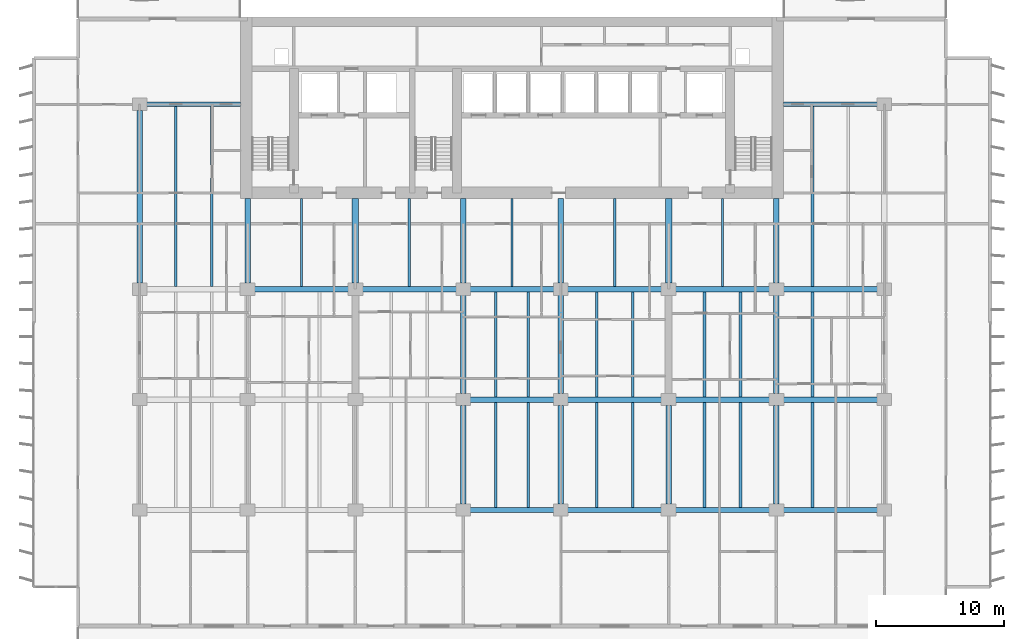
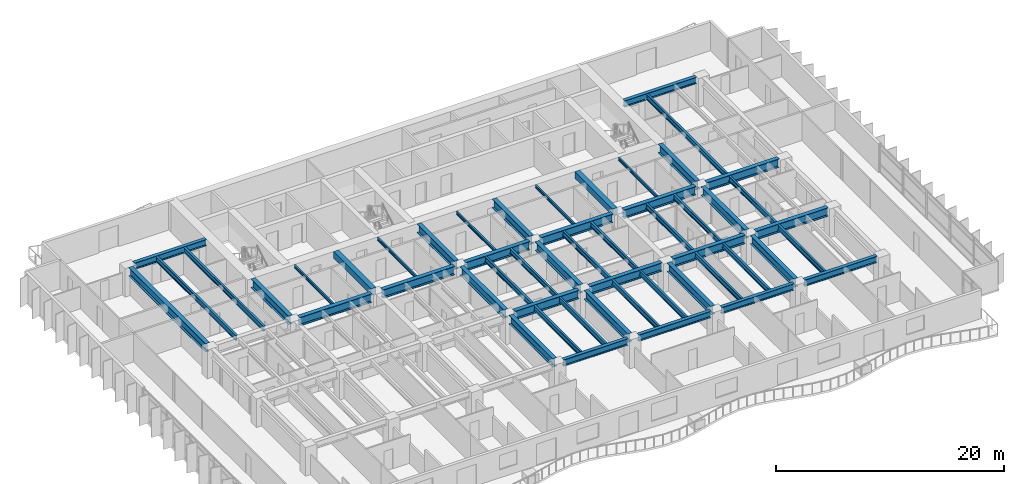
# One storey, part 3 of 18: 52 beams.
"""IFC4 building model written with IfcOpenShell, lengths in metres."""

from ifc_helpers import new_model, si_unit, direction, frame, origin, origin_2d, place, context, subcontext, project, spatial, rectangle, i_section, extrude, material, material_profile, profile_set, type_object, element, save


model = new_model("IFC4")

# Units and contexts
model_context = context("Model", 3, precision=1e-05, world=origin(), true_north=direction((0.0, 1.0)))
body_context = subcontext(model_context, "Body", "Model", "MODEL_VIEW")
ifc_project = project(units=[si_unit("LENGTHUNIT", "METRE"), si_unit("AREAUNIT", "SQUARE_METRE"), si_unit("VOLUMEUNIT", "CUBIC_METRE"), si_unit("PLANEANGLEUNIT", "RADIAN"), si_unit("MASSUNIT", "GRAM", prefix="KILO")], contexts=[model_context])

# Site, building, storey
site_placement = place(None, origin())
site = spatial("IfcSite", under=ifc_project, at=site_placement, CompositionType="ELEMENT")
building_placement = place(site_placement, origin())
building = spatial("IfcBuilding", under=site, at=building_placement, Name="Caelmar Bay Residences", CompositionType="ELEMENT")
storey_placement = place(building_placement, frame((0.0, 0.0, 36.60009765625)))
storey = spatial("IfcBuildingStorey", under=building, at=storey_placement, Name="L08", CompositionType="ELEMENT", Elevation=36.60009765625)

# Beams
ifc_material_1 = material(Name="Steel ASTM A992 Grade 50", Category="steel")
ifc_material_profile_1 = material_profile(ifc_material_1, i_section(OverallWidth=0.422119140625, OverallDepth=0.925048828125, WebThickness=0.021240234375, FlangeThickness=0.03662109375, FilletRadius=0.020263671875, at=origin_2d()), Name="W36X262")
ifc_profile_set_1 = profile_set([ifc_material_profile_1], Name="Steel ASTM A992 Grade 50")
beam_type_1 = type_object("IfcBeamType", Name="BM-GRD-W36X262", PredefinedType="BEAM", material=ifc_profile_set_1)
beam_1_placement = place(storey_placement, frame((35.639892578125, 20.800048828125, 2.58740234375), z_axis=(1.0, 0.0, 0.0), x_axis=(0.0, 1.0, 0.0)))
element("IfcBeam", 1, at=beam_1_placement, inside=storey, type_object=beam_type_1, Name="L08 East-West Girder Y=20.80 (35.1-42.7)", PredefinedType="BEAM", context=body_context, shape_type="SweptSolid", body=[
    extrude(i_section(OverallWidth=0.422119140625, OverallDepth=0.925048828125, WebThickness=0.021240234375, FlangeThickness=0.03662109375, FilletRadius=0.020263671875, at=origin_2d()), origin(), (0.0, 0.0, 1.0), 6.52001953125),
])
for number, where, z_axis, x_axis, name in (
    (2, (43.239990234375, 20.800048828125, 2.58740234375), (1.0, 0.0, 0.0), (0.0, 1.0, 0.0), "L08 East-West Girder Y=20.80 (42.7-51.1)"),
    (3, (51.639892578125, 20.800048828125, 2.58740234375), (1.0, 0.0, 0.0), (0.0, 1.0, 0.0), "L08 East-West Girder Y=20.80 (51.1-59.5)"),
    (4, (60.0400390625, 20.800048828125, 2.58740234375), (1.0, 0.0, 0.0), (0.0, 1.0, 0.0), "L08 East-West Girder Y=20.80 (59.5-67.9)"),
):
    element("IfcBeam", number, at=place(storey_placement, frame(where, z_axis=z_axis, x_axis=x_axis)), inside=storey, type_object=beam_type_1, Name=name, PredefinedType="BEAM", context=body_context, shape_type="SweptSolid", body=[
        extrude(i_section(OverallWidth=0.422119140625, OverallDepth=0.925048828125, WebThickness=0.021240234375, FlangeThickness=0.03662109375, FilletRadius=0.020263671875, at=origin_2d()), origin(), (0.0, 0.0, 1.0), 7.320068359375),
    ])
beam_2_placement = place(storey_placement, frame((18.840087890625, 29.39990234375, 2.58740234375), z_axis=(1.0, 0.0, 0.0), x_axis=(0.0, 1.0, 0.0)))
element("IfcBeam", 5, at=beam_2_placement, inside=storey, type_object=beam_type_1, Name="L08 East-West Girder Y=29.40 (18.3-26.7)", PredefinedType="BEAM", context=body_context, shape_type="SweptSolid", body=[
    extrude(i_section(OverallWidth=0.422119140625, OverallDepth=0.925048828125, WebThickness=0.021240234375, FlangeThickness=0.03662109375, FilletRadius=0.020263671875, at=origin_2d()), origin(), (0.0, 0.0, 1.0), 7.31982421875),
])
beam_3_placement = place(storey_placement, frame((27.239990234375, 29.39990234375, 2.58740234375), z_axis=(1.0, 0.0, 0.0), x_axis=(0.0, 1.0, 0.0)))
element("IfcBeam", 6, at=beam_3_placement, inside=storey, type_object=beam_type_1, Name="L08 East-West Girder Y=29.40 (26.7-35.1)", PredefinedType="BEAM", context=body_context, shape_type="SweptSolid", body=[
    extrude(i_section(OverallWidth=0.422119140625, OverallDepth=0.925048828125, WebThickness=0.021240234375, FlangeThickness=0.03662109375, FilletRadius=0.020263671875, at=origin_2d()), origin(), (0.0, 0.0, 1.0), 7.320068359375),
])
beam_4_placement = place(storey_placement, frame((35.639892578125, 29.39990234375, 2.58740234375), z_axis=(1.0, 0.0, 0.0), x_axis=(0.0, 1.0, 0.0)))
element("IfcBeam", 7, at=beam_4_placement, inside=storey, type_object=beam_type_1, Name="L08 East-West Girder Y=29.40 (35.1-42.7)", PredefinedType="BEAM", context=body_context, shape_type="SweptSolid", body=[
    extrude(i_section(OverallWidth=0.422119140625, OverallDepth=0.925048828125, WebThickness=0.021240234375, FlangeThickness=0.03662109375, FilletRadius=0.020263671875, at=origin_2d()), origin(), (0.0, 0.0, 1.0), 6.52001953125),
])
for number, where, z_axis, x_axis, name in (
    (8, (43.239990234375, 29.39990234375, 2.58740234375), (1.0, 0.0, 0.0), (0.0, 1.0, 0.0), "L08 East-West Girder Y=29.40 (42.7-51.1)"),
    (9, (51.639892578125, 29.39990234375, 2.58740234375), (1.0, 0.0, 0.0), (0.0, 1.0, 0.0), "L08 East-West Girder Y=29.40 (51.1-59.5)"),
    (10, (60.0400390625, 29.39990234375, 2.58740234375), (1.0, 0.0, 0.0), (0.0, 1.0, 0.0), "L08 East-West Girder Y=29.40 (59.5-67.9)"),
):
    element("IfcBeam", number, at=place(storey_placement, frame(where, z_axis=z_axis, x_axis=x_axis)), inside=storey, type_object=beam_type_1, Name=name, PredefinedType="BEAM", context=body_context, shape_type="SweptSolid", body=[
        extrude(i_section(OverallWidth=0.422119140625, OverallDepth=0.925048828125, WebThickness=0.021240234375, FlangeThickness=0.03662109375, FilletRadius=0.020263671875, at=origin_2d()), origin(), (0.0, 0.0, 1.0), 7.320068359375),
    ])
beam_5_placement = place(storey_placement, frame((9.89990234375, 29.864990234375, 2.58740234375), z_axis=(0.0, 1.0, 0.0), x_axis=(-1.0, 0.0, 0.0)))
element("IfcBeam", 11, at=beam_5_placement, inside=storey, type_object=beam_type_1, Name="L08 North-South Girder X=9.90 (29.4-43.8)", PredefinedType="BEAM", context=body_context, shape_type="SweptSolid", body=[
    extrude(i_section(OverallWidth=0.422119140625, OverallDepth=0.925048828125, WebThickness=0.021240234375, FlangeThickness=0.03662109375, FilletRadius=0.020263671875, at=origin_2d()), origin(), (0.0, 0.0, 1.0), 13.469970703125),
])
for number, where, z_axis, x_axis, name in (
    (12, (18.300048828125, 29.864990234375, 2.58740234375), (0.0, 1.0, 0.0), (-1.0, 0.0, 0.0), "L08 Core Tie Girder X=18.30"),
    (13, (35.10009765625, 29.864990234375, 2.58740234375), (0.0, 1.0, 0.0), (-1.0, 0.0, 0.0), "L08 Core Tie Girder X=35.10"),
):
    element("IfcBeam", number, at=place(storey_placement, frame(where, z_axis=z_axis, x_axis=x_axis)), inside=storey, type_object=beam_type_1, Name=name, PredefinedType="BEAM", context=body_context, shape_type="SweptSolid", body=[
        extrude(i_section(OverallWidth=0.422119140625, OverallDepth=0.925048828125, WebThickness=0.021240234375, FlangeThickness=0.03662109375, FilletRadius=0.020263671875, at=origin_2d()), origin(), (0.0, 0.0, 1.0), 6.5849609375),
    ])
beam_6_placement = place(storey_placement, frame((35.10009765625, 12.6650390625, 2.58740234375), z_axis=(0.0, 1.0, 0.0), x_axis=(-1.0, 0.0, 0.0)))
element("IfcBeam", 14, at=beam_6_placement, inside=storey, type_object=beam_type_1, Name="L08 North-South Girder X=35.10 (12.2-20.8)", PredefinedType="BEAM", context=body_context, shape_type="SweptSolid", body=[
    extrude(i_section(OverallWidth=0.422119140625, OverallDepth=0.925048828125, WebThickness=0.021240234375, FlangeThickness=0.03662109375, FilletRadius=0.020263671875, at=origin_2d()), origin(), (0.0, 0.0, 1.0), 7.669921875),
])
beam_7_placement = place(storey_placement, frame((35.10009765625, 21.264892578125, 2.58740234375), z_axis=(0.0, 1.0, 0.0), x_axis=(-1.0, 0.0, 0.0)))
element("IfcBeam", 15, at=beam_7_placement, inside=storey, type_object=beam_type_1, Name="L08 North-South Girder X=35.10 (20.8-29.4)", PredefinedType="BEAM", context=body_context, shape_type="SweptSolid", body=[
    extrude(i_section(OverallWidth=0.422119140625, OverallDepth=0.925048828125, WebThickness=0.021240234375, FlangeThickness=0.03662109375, FilletRadius=0.020263671875, at=origin_2d()), origin(), (0.0, 0.0, 1.0), 7.670166015625),
])
beam_8_placement = place(storey_placement, frame((42.699951171875, 29.864990234375, 2.58740234375), z_axis=(0.0, 1.0, 0.0), x_axis=(-1.0, 0.0, 0.0)))
element("IfcBeam", 16, at=beam_8_placement, inside=storey, type_object=beam_type_1, Name="L08 Core Tie Girder X=42.70", PredefinedType="BEAM", context=body_context, shape_type="SweptSolid", body=[
    extrude(i_section(OverallWidth=0.422119140625, OverallDepth=0.925048828125, WebThickness=0.021240234375, FlangeThickness=0.03662109375, FilletRadius=0.020263671875, at=origin_2d()), origin(), (0.0, 0.0, 1.0), 6.5849609375),
])
beam_9_placement = place(storey_placement, frame((42.699951171875, 12.6650390625, 2.58740234375), z_axis=(0.0, 1.0, 0.0), x_axis=(-1.0, 0.0, 0.0)))
element("IfcBeam", 17, at=beam_9_placement, inside=storey, type_object=beam_type_1, Name="L08 North-South Girder X=42.70 (12.2-20.8)", PredefinedType="BEAM", context=body_context, shape_type="SweptSolid", body=[
    extrude(i_section(OverallWidth=0.422119140625, OverallDepth=0.925048828125, WebThickness=0.021240234375, FlangeThickness=0.03662109375, FilletRadius=0.020263671875, at=origin_2d()), origin(), (0.0, 0.0, 1.0), 7.669921875),
])
beam_10_placement = place(storey_placement, frame((42.699951171875, 21.264892578125, 2.58740234375), z_axis=(0.0, 1.0, 0.0), x_axis=(-1.0, 0.0, 0.0)))
element("IfcBeam", 18, at=beam_10_placement, inside=storey, type_object=beam_type_1, Name="L08 North-South Girder X=42.70 (20.8-29.4)", PredefinedType="BEAM", context=body_context, shape_type="SweptSolid", body=[
    extrude(i_section(OverallWidth=0.422119140625, OverallDepth=0.925048828125, WebThickness=0.021240234375, FlangeThickness=0.03662109375, FilletRadius=0.020263671875, at=origin_2d()), origin(), (0.0, 0.0, 1.0), 7.670166015625),
])
beam_11_placement = place(storey_placement, frame((51.10009765625, 12.6650390625, 2.58740234375), z_axis=(0.0, 1.0, 0.0), x_axis=(-1.0, 0.0, 0.0)))
element("IfcBeam", 19, at=beam_11_placement, inside=storey, type_object=beam_type_1, Name="L08 North-South Girder X=51.10 (12.2-20.8)", PredefinedType="BEAM", context=body_context, shape_type="SweptSolid", body=[
    extrude(i_section(OverallWidth=0.422119140625, OverallDepth=0.925048828125, WebThickness=0.021240234375, FlangeThickness=0.03662109375, FilletRadius=0.020263671875, at=origin_2d()), origin(), (0.0, 0.0, 1.0), 7.669921875),
])
beam_12_placement = place(storey_placement, frame((59.5, 29.864990234375, 2.58740234375), z_axis=(0.0, 1.0, 0.0), x_axis=(-1.0, 0.0, 0.0)))
element("IfcBeam", 20, at=beam_12_placement, inside=storey, type_object=beam_type_1, Name="L08 Core Tie Girder X=59.50", PredefinedType="BEAM", context=body_context, shape_type="SweptSolid", body=[
    extrude(i_section(OverallWidth=0.422119140625, OverallDepth=0.925048828125, WebThickness=0.021240234375, FlangeThickness=0.03662109375, FilletRadius=0.020263671875, at=origin_2d()), origin(), (0.0, 0.0, 1.0), 6.5849609375),
])
beam_13_placement = place(storey_placement, frame((59.5, 12.6650390625, 2.58740234375), z_axis=(0.0, 1.0, 0.0), x_axis=(-1.0, 0.0, 0.0)))
element("IfcBeam", 21, at=beam_13_placement, inside=storey, type_object=beam_type_1, Name="L08 North-South Girder X=59.50 (12.2-20.8)", PredefinedType="BEAM", context=body_context, shape_type="SweptSolid", body=[
    extrude(i_section(OverallWidth=0.422119140625, OverallDepth=0.925048828125, WebThickness=0.021240234375, FlangeThickness=0.03662109375, FilletRadius=0.020263671875, at=origin_2d()), origin(), (0.0, 0.0, 1.0), 7.669921875),
])
beam_14_placement = place(storey_placement, frame((59.5, 21.264892578125, 2.58740234375), z_axis=(0.0, 1.0, 0.0), x_axis=(-1.0, 0.0, 0.0)))
element("IfcBeam", 22, at=beam_14_placement, inside=storey, type_object=beam_type_1, Name="L08 North-South Girder X=59.50 (20.8-29.4)", PredefinedType="BEAM", context=body_context, shape_type="SweptSolid", body=[
    extrude(i_section(OverallWidth=0.422119140625, OverallDepth=0.925048828125, WebThickness=0.021240234375, FlangeThickness=0.03662109375, FilletRadius=0.020263671875, at=origin_2d()), origin(), (0.0, 0.0, 1.0), 7.670166015625),
])
ifc_material_profile_2 = material_profile(ifc_material_1, i_section(OverallWidth=0.1650390625, OverallDepth=0.31005859375, WebThickness=0.005859375, FlangeThickness=0.009765625, FilletRadius=0.007568359375, at=origin_2d()), Name="W12X26")
ifc_profile_set_2 = profile_set([ifc_material_profile_2], Name="Steel ASTM A992 Grade 50")
beam_type_2 = type_object("IfcBeamType", Name="BM-JST-W12X26", PredefinedType="JOIST", material=ifc_profile_set_2)
for number, where, z_axis, x_axis, name in (
    (23, (22.5, 29.611083984375, 2.89501953125), (0.0, 1.0, 0.0), (-1.0, 0.0, 0.0), "L08 Core-Band Composite Joist 29"),
    (24, (30.89990234375, 29.611083984375, 2.89501953125), (0.0, 1.0, 0.0), (-1.0, 0.0, 0.0), "L08 Core-Band Composite Joist 30"),
    (25, (38.89990234375, 29.611083984375, 2.89501953125), (0.0, 1.0, 0.0), (-1.0, 0.0, 0.0), "L08 Core-Band Composite Joist 31"),
    (26, (46.89990234375, 29.611083984375, 2.89501953125), (0.0, 1.0, 0.0), (-1.0, 0.0, 0.0), "L08 Core-Band Composite Joist 32"),
    (27, (55.300048828125, 29.611083984375, 2.89501953125), (0.0, 1.0, 0.0), (-1.0, 0.0, 0.0), "L08 Core-Band Composite Joist 33"),
):
    element("IfcBeam", number, at=place(storey_placement, frame(where, z_axis=z_axis, x_axis=x_axis)), inside=storey, type_object=beam_type_2, Name=name, PredefinedType="JOIST", context=body_context, shape_type="SweptSolid", body=[
        extrude(i_section(OverallWidth=0.1650390625, OverallDepth=0.31005859375, WebThickness=0.005859375, FlangeThickness=0.009765625, FilletRadius=0.007568359375, at=origin_2d()), origin(), (0.0, 0.0, 1.0), 6.8388671875),
    ])
ifc_material_profile_3 = material_profile(ifc_material_1, i_section(OverallWidth=0.2099609375, OverallDepth=0.535888671875, WebThickness=0.010986328125, FlangeThickness=0.017333984375, FilletRadius=0.0126953125, at=origin_2d()), Name="W21X68")
ifc_profile_set_3 = profile_set([ifc_material_profile_3], Name="Steel ASTM A992 Grade 50")
beam_type_3 = type_object("IfcBeamType", Name="BM-JST-W21X68", PredefinedType="JOIST", material=ifc_profile_set_3)
for number, where, z_axis, x_axis, name in (
    (28, (40.166748046875, 12.3779296875, 2.781982421875), (0.0, 1.0, 0.0), (-1.0, 0.0, 0.0), "L08 Composite Floor Joist 8"),
    (29, (48.300048828125, 12.3779296875, 2.781982421875), (0.0, 1.0, 0.0), (-1.0, 0.0, 0.0), "L08 Composite Floor Joist 10"),
    (30, (56.699951171875, 12.3779296875, 2.781982421875), (0.0, 1.0, 0.0), (-1.0, 0.0, 0.0), "L08 Composite Floor Joist 12"),
):
    element("IfcBeam", number, at=place(storey_placement, frame(where, z_axis=z_axis, x_axis=x_axis)), inside=storey, type_object=beam_type_3, Name=name, PredefinedType="JOIST", context=body_context, shape_type="SweptSolid", body=[
        extrude(i_section(OverallWidth=0.2099609375, OverallDepth=0.535888671875, WebThickness=0.010986328125, FlangeThickness=0.017333984375, FilletRadius=0.0126953125, at=origin_2d()), origin(), (0.0, 0.0, 1.0), 8.211181640625),
    ])
for number, where, z_axis, x_axis, name in (
    (31, (40.166748046875, 21.010986328125, 2.781982421875), (0.0, 1.0, 0.0), (-1.0, 0.0, 0.0), "L08 Composite Floor Joist 22"),
    (32, (48.300048828125, 21.010986328125, 2.781982421875), (0.0, 1.0, 0.0), (-1.0, 0.0, 0.0), "L08 Composite Floor Joist 24"),
    (33, (56.699951171875, 21.010986328125, 2.781982421875), (0.0, 1.0, 0.0), (-1.0, 0.0, 0.0), "L08 Composite Floor Joist 26"),
):
    element("IfcBeam", number, at=place(storey_placement, frame(where, z_axis=z_axis, x_axis=x_axis)), inside=storey, type_object=beam_type_3, Name=name, PredefinedType="JOIST", context=body_context, shape_type="SweptSolid", body=[
        extrude(i_section(OverallWidth=0.2099609375, OverallDepth=0.535888671875, WebThickness=0.010986328125, FlangeThickness=0.017333984375, FilletRadius=0.0126953125, at=origin_2d()), origin(), (0.0, 0.0, 1.0), 8.177978515625),
    ])
beam_15_placement = place(storey_placement, frame((15.5, 29.611083984375, 2.781982421875), z_axis=(0.0, 1.0, 0.0), x_axis=(-1.0, 0.0, 0.0)))
element("IfcBeam", 34, at=beam_15_placement, inside=storey, type_object=beam_type_3, Name="L08 Composite Floor Joist 35", PredefinedType="JOIST", context=body_context, shape_type="SweptSolid", body=[
    extrude(i_section(OverallWidth=0.2099609375, OverallDepth=0.535888671875, WebThickness=0.010986328125, FlangeThickness=0.017333984375, FilletRadius=0.0126953125, at=origin_2d()), origin(), (0.0, 0.0, 1.0), 14.010986328125),
])
ifc_material_profile_4 = material_profile(ifc_material_1, i_section(OverallWidth=0.214111328125, OverallDepth=0.549072265625, WebThickness=0.0146484375, FlangeThickness=0.023681640625, FilletRadius=0.0126953125, at=origin_2d()), Name="W21X93")
ifc_profile_set_4 = profile_set([ifc_material_profile_4], Name="Steel ASTM A992 Grade 50")
beam_type_4 = type_object("IfcBeamType", Name="BM-JST-W21X93", PredefinedType="JOIST", material=ifc_profile_set_4)
for number, where, z_axis, x_axis, name in (
    (35, (37.63330078125, 12.3779296875, 2.775390625), (0.0, 1.0, 0.0), (-1.0, 0.0, 0.0), "L08 Composite Floor Joist 7"),
    (36, (45.5, 12.3779296875, 2.775390625), (0.0, 1.0, 0.0), (-1.0, 0.0, 0.0), "L08 Composite Floor Joist 9"),
    (37, (53.89990234375, 12.3779296875, 2.775390625), (0.0, 1.0, 0.0), (-1.0, 0.0, 0.0), "L08 Composite Floor Joist 11"),
    (38, (62.300048828125, 12.3779296875, 2.775390625), (0.0, 1.0, 0.0), (-1.0, 0.0, 0.0), "L08 Composite Floor Joist 13"),
):
    element("IfcBeam", number, at=place(storey_placement, frame(where, z_axis=z_axis, x_axis=x_axis)), inside=storey, type_object=beam_type_4, Name=name, PredefinedType="JOIST", context=body_context, shape_type="SweptSolid", body=[
        extrude(i_section(OverallWidth=0.214111328125, OverallDepth=0.549072265625, WebThickness=0.0146484375, FlangeThickness=0.023681640625, FilletRadius=0.0126953125, at=origin_2d()), origin(), (0.0, 0.0, 1.0), 8.211181640625),
    ])
for number, where, z_axis, x_axis, name in (
    (39, (37.63330078125, 21.010986328125, 2.775390625), (0.0, 1.0, 0.0), (-1.0, 0.0, 0.0), "L08 Composite Floor Joist 21"),
    (40, (45.5, 21.010986328125, 2.775390625), (0.0, 1.0, 0.0), (-1.0, 0.0, 0.0), "L08 Composite Floor Joist 23"),
    (41, (53.89990234375, 21.010986328125, 2.775390625), (0.0, 1.0, 0.0), (-1.0, 0.0, 0.0), "L08 Composite Floor Joist 25"),
    (42, (62.300048828125, 21.010986328125, 2.775390625), (0.0, 1.0, 0.0), (-1.0, 0.0, 0.0), "L08 Composite Floor Joist 27"),
):
    element("IfcBeam", number, at=place(storey_placement, frame(where, z_axis=z_axis, x_axis=x_axis)), inside=storey, type_object=beam_type_4, Name=name, PredefinedType="JOIST", context=body_context, shape_type="SweptSolid", body=[
        extrude(i_section(OverallWidth=0.214111328125, OverallDepth=0.549072265625, WebThickness=0.0146484375, FlangeThickness=0.023681640625, FilletRadius=0.0126953125, at=origin_2d()), origin(), (0.0, 0.0, 1.0), 8.177978515625),
    ])
for number, where, z_axis, x_axis, name in (
    (43, (12.699951171875, 29.611083984375, 2.775390625), (0.0, 1.0, 0.0), (-1.0, 0.0, 0.0), "L08 Composite Floor Joist 34"),
    (44, (62.300048828125, 29.611083984375, 2.775390625), (0.0, 1.0, 0.0), (-1.0, 0.0, 0.0), "L08 Composite Floor Joist 36"),
):
    element("IfcBeam", number, at=place(storey_placement, frame(where, z_axis=z_axis, x_axis=x_axis)), inside=storey, type_object=beam_type_4, Name=name, PredefinedType="JOIST", context=body_context, shape_type="SweptSolid", body=[
        extrude(i_section(OverallWidth=0.214111328125, OverallDepth=0.549072265625, WebThickness=0.0146484375, FlangeThickness=0.023681640625, FilletRadius=0.0126953125, at=origin_2d()), origin(), (0.0, 0.0, 1.0), 14.010986328125),
    ])
ifc_material_2 = material(Name="Concrete f'c 55 MPa (8,000 psi)", Category="concrete")
ifc_material_profile_5 = material_profile(ifc_material_2, rectangle(XDim=0.5, YDim=0.699951171875, at=origin_2d()), Name="RC-BM-500X700")
ifc_profile_set_5 = profile_set([ifc_material_profile_5], Name="Concrete f'c 55 MPa (8,000 psi)")
beam_type_5 = type_object("IfcBeamType", Name="BM-RC-500X700", PredefinedType="LINTEL", material=ifc_profile_set_5)
for number, where, z_axis, x_axis, name in (
    (45, (26.699951171875, 29.864990234375, 2.699951171875), (0.0, 1.0, 0.0), (-1.0, 0.0, 0.0), "L08 Shear-Wall Corridor Coupling Lintel W5"),
    (46, (51.10009765625, 29.864990234375, 2.699951171875), (0.0, 1.0, 0.0), (-1.0, 0.0, 0.0), "L08 Shear-Wall Corridor Coupling Lintel E8"),
):
    element("IfcBeam", number, at=place(storey_placement, frame(where, z_axis=z_axis, x_axis=x_axis)), inside=storey, type_object=beam_type_5, Name=name, PredefinedType="LINTEL", context=body_context, shape_type="SweptSolid", body=[
        extrude(rectangle(XDim=0.5, YDim=0.699951171875, at=origin_2d()), origin(), (0.0, 0.0, 1.0), 6.5849609375),
    ])
ifc_material_profile_6 = material_profile(ifc_material_1, i_section(OverallWidth=0.35595703125, OverallDepth=0.696044921875, WebThickness=0.015380859375, FlangeThickness=0.02490234375, FilletRadius=0.01513671875, at=origin_2d()), Name="W27X146")
ifc_profile_set_6 = profile_set([ifc_material_profile_6], Name="Steel ASTM A992 Grade 50")
beam_type_6 = type_object("IfcBeamType", Name="BM-SPN-W27X146", PredefinedType="SPANDREL", material=ifc_profile_set_6)
beam_16_placement = place(storey_placement, frame((35.639892578125, 12.199951171875, 2.701904296875), z_axis=(1.0, 0.0, 0.0), x_axis=(0.0, 1.0, 0.0)))
element("IfcBeam", 47, at=beam_16_placement, inside=storey, type_object=beam_type_6, Name="L08 East-West Girder Y=12.20 (35.1-42.7)", PredefinedType="SPANDREL", context=body_context, shape_type="SweptSolid", body=[
    extrude(i_section(OverallWidth=0.35595703125, OverallDepth=0.696044921875, WebThickness=0.015380859375, FlangeThickness=0.02490234375, FilletRadius=0.01513671875, at=origin_2d()), origin(), (0.0, 0.0, 1.0), 6.52001953125),
])
for number, where, z_axis, x_axis, name in (
    (48, (43.239990234375, 12.199951171875, 2.701904296875), (1.0, 0.0, 0.0), (0.0, 1.0, 0.0), "L08 East-West Girder Y=12.20 (42.7-51.1)"),
    (49, (51.639892578125, 12.199951171875, 2.701904296875), (1.0, 0.0, 0.0), (0.0, 1.0, 0.0), "L08 East-West Girder Y=12.20 (51.1-59.5)"),
    (50, (60.0400390625, 12.199951171875, 2.701904296875), (1.0, 0.0, 0.0), (0.0, 1.0, 0.0), "L08 East-West Girder Y=12.20 (59.5-67.9)"),
):
    element("IfcBeam", number, at=place(storey_placement, frame(where, z_axis=z_axis, x_axis=x_axis)), inside=storey, type_object=beam_type_6, Name=name, PredefinedType="SPANDREL", context=body_context, shape_type="SweptSolid", body=[
        extrude(i_section(OverallWidth=0.35595703125, OverallDepth=0.696044921875, WebThickness=0.015380859375, FlangeThickness=0.02490234375, FilletRadius=0.01513671875, at=origin_2d()), origin(), (0.0, 0.0, 1.0), 7.320068359375),
    ])
for number, where, z_axis, x_axis, name in (
    (51, (10.43994140625, 43.800048828125, 2.701904296875), (1.0, 0.0, 0.0), (0.0, 1.0, 0.0), "L08 North-West Wing Core Tie Girder"),
    (52, (60.050048828125, 43.800048828125, 2.701904296875), (1.0, 0.0, 0.0), (0.0, 1.0, 0.0), "L08 North-East Wing Core Tie Girder"),
):
    element("IfcBeam", number, at=place(storey_placement, frame(where, z_axis=z_axis, x_axis=x_axis)), inside=storey, type_object=beam_type_6, Name=name, PredefinedType="SPANDREL", context=body_context, shape_type="SweptSolid", body=[
        extrude(i_section(OverallWidth=0.35595703125, OverallDepth=0.696044921875, WebThickness=0.015380859375, FlangeThickness=0.02490234375, FilletRadius=0.01513671875, at=origin_2d()), origin(), (0.0, 0.0, 1.0), 7.31005859375),
    ])

save(model, "model.ifc")
